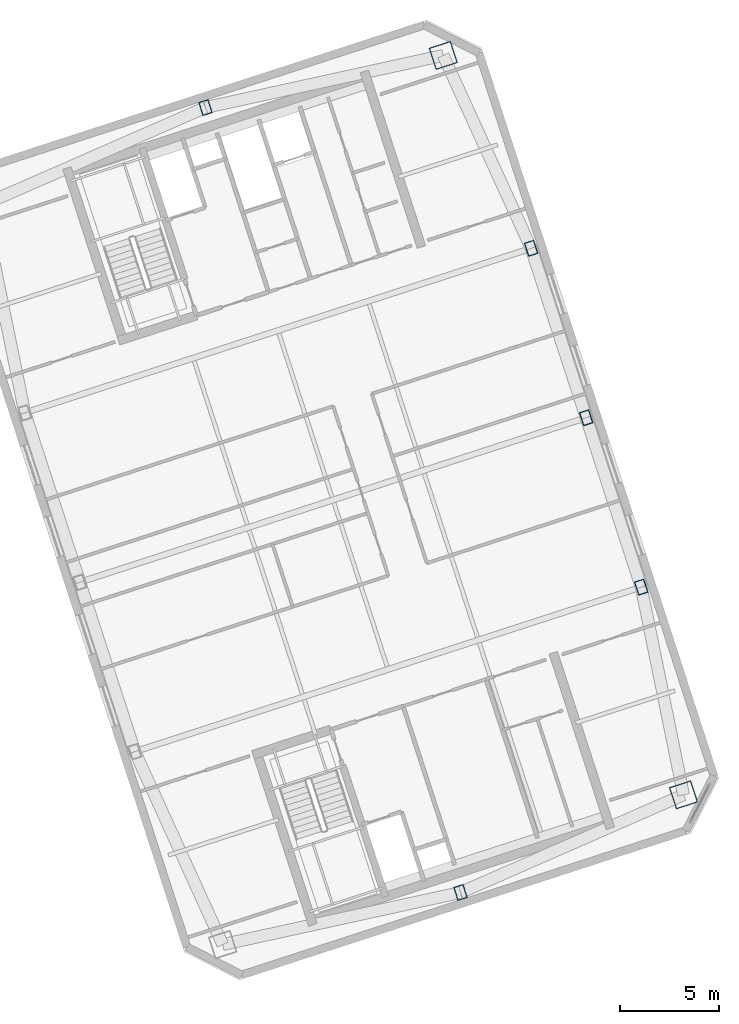
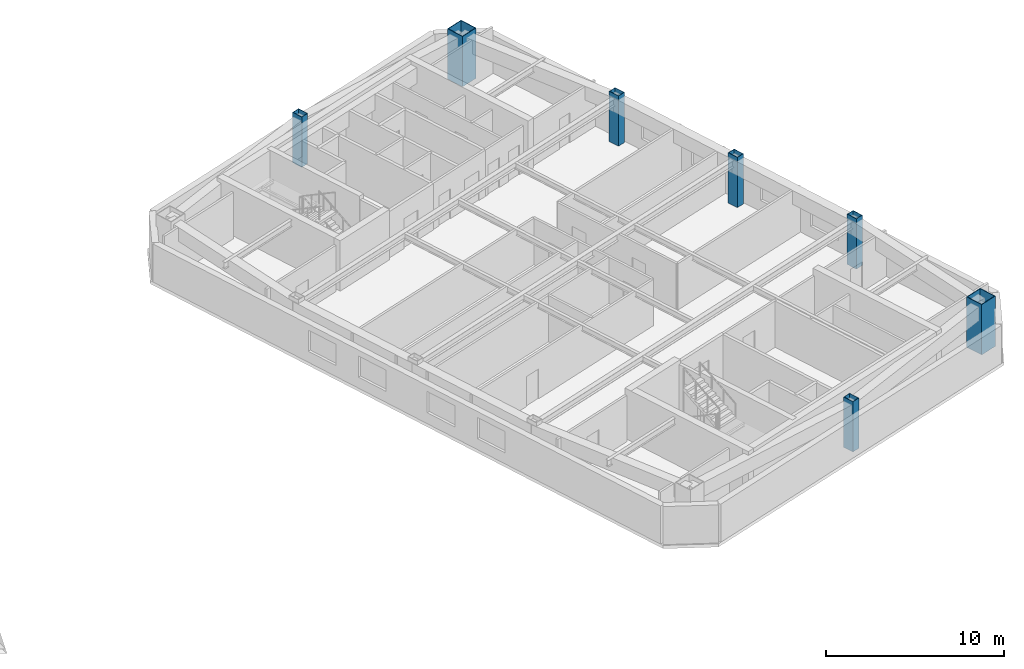
# One storey, part 2 of 20: 7 columns.
"""IFC4 building model written with IfcOpenShell, lengths in metres."""

from ifc_helpers import new_model, si_unit, direction, frame, origin, origin_2d, place, context, subcontext, project, spatial, hollow_rectangle, extrude, material, material_profile, profile_set, type_object, element, save


model = new_model("IFC4")

# Units and contexts
model_context = context("Model", 3, precision=1e-05, world=origin(), true_north=direction((0.0, 1.0)))
body_context = subcontext(model_context, "Body", "Model", "MODEL_VIEW")
ifc_project = project(units=[si_unit("LENGTHUNIT", "METRE"), si_unit("AREAUNIT", "SQUARE_METRE"), si_unit("VOLUMEUNIT", "CUBIC_METRE"), si_unit("PLANEANGLEUNIT", "RADIAN"), si_unit("MASSUNIT", "GRAM", prefix="KILO")], contexts=[model_context])

# Site, building, storey
site_placement = place(None, origin())
site = spatial("IfcSite", under=ifc_project, at=site_placement, CompositionType="ELEMENT")
building_placement = place(site_placement, origin())
building = spatial("IfcBuilding", under=site, at=building_placement, Name="Qiaolan Cultural Towers", CompositionType="ELEMENT")
storey_placement = place(building_placement, frame((0.0, 0.0, 223.10009765625)))
storey = spatial("IfcBuildingStorey", under=building, at=storey_placement, Name="L60", CompositionType="ELEMENT", Elevation=223.10009765625)

# Columns
ifc_material_1 = material(Name="Steel Q390GJB", Category="steel")
ifc_material_profile_1 = material_profile(ifc_material_1, hollow_rectangle(XDim=1.14990234375, YDim=1.14990234375, WallThickness=0.0400390625, at=origin_2d()), Name="BOX1150x1150x40")
ifc_profile_set_1 = profile_set([ifc_material_profile_1], Name="Steel Q390GJB")
column_type_1 = type_object("IfcColumnType", Name="COL-BOX1150x1150x40", PredefinedType="COLUMN", material=ifc_profile_set_1)
for number, where, z_axis, x_axis, name in (
    (1, (107.7099609375, 19.103515625, 0.0), (0.0, 0.0, 1.0), (0.951056516295, 0.309016994375, 0.0), "L60 T2 Perimeter Column MC-SE"),
    (2, (95.57177734375, 56.461181640625, 0.0), (0.0, 0.0, 1.0), (0.951056516295, 0.309016994375, 0.0), "L60 T2 Perimeter Column MC-NE"),
):
    element("IfcColumn", number, at=place(storey_placement, frame(where, z_axis=z_axis, x_axis=x_axis)), inside=storey, type_object=column_type_1, Name=name, PredefinedType="COLUMN", context=body_context, shape_type="SweptSolid", body=[
        extrude(hollow_rectangle(XDim=1.14990234375, YDim=1.14990234375, WallThickness=0.0400390625, at=origin_2d()), origin(), (0.0, 0.0, 1.0), 3.450927734375),
    ])
ifc_material_2 = material(Name="Steel Q355B", Category="steel")
ifc_material_profile_2 = material_profile(ifc_material_2, hollow_rectangle(XDim=0.5, YDim=0.699951171875, WallThickness=0.02490234375, at=origin_2d()), Name="BOX700x500x25")
ifc_profile_set_2 = profile_set([ifc_material_profile_2], Name="Steel Q355B")
column_type_2 = type_object("IfcColumnType", Name="COL-BOX700x500x25", PredefinedType="COLUMN", material=ifc_profile_set_2)
for number, where, z_axis, x_axis, name in (
    (3, (105.57275390625, 29.5966796875, 0.0), (0.0, 0.0, 1.0), (0.951056516295, 0.309016994375, 0.0), "L60 T2 Perimeter Column PC-E1"),
    (4, (102.791748046875, 38.15625, 0.0), (0.0, 0.0, 1.0), (0.951056516295, 0.309016994375, 0.0), "L60 T2 Perimeter Column PC-E2"),
    (5, (100.010498046875, 46.7158203125, 0.0), (0.0, 0.0, 1.0), (0.951056516295, 0.309016994375, 0.0), "L60 T2 Perimeter Column PC-E3"),
    (6, (96.443115234375, 14.17041015625, 0.0), (0.0, 0.0, 1.0), (0.951056516295, 0.309016994375, 0.0), "L60 T2 Perimeter Column PC-S0"),
    (7, (83.556884765625, 53.82958984375, 0.0), (0.0, 0.0, 1.0), (0.951056516295, 0.309016994375, 0.0), "L60 T2 Perimeter Column PC-N0"),
):
    element("IfcColumn", number, at=place(storey_placement, frame(where, z_axis=z_axis, x_axis=x_axis)), inside=storey, type_object=column_type_2, Name=name, PredefinedType="COLUMN", context=body_context, shape_type="SweptSolid", body=[
        extrude(hollow_rectangle(XDim=0.5, YDim=0.699951171875, WallThickness=0.02490234375, at=origin_2d()), origin(), (0.0, 0.0, 1.0), 3.450927734375),
    ])

save(model, "model.ifc")
